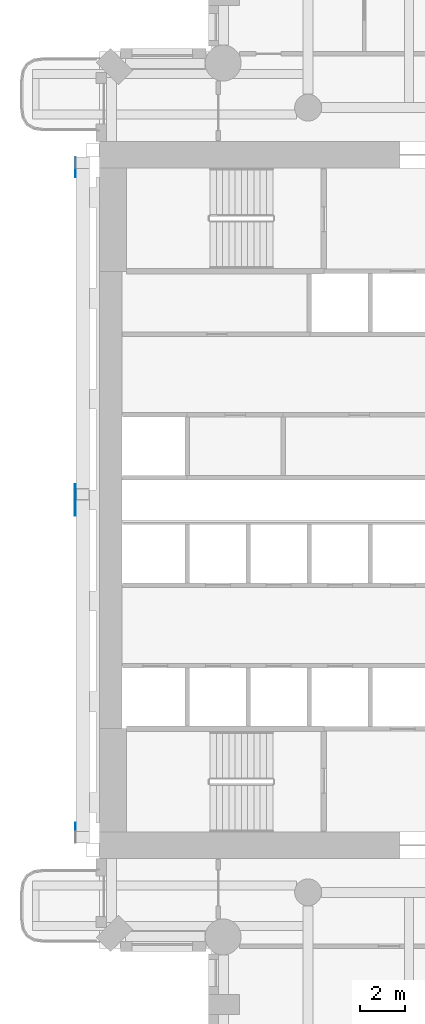
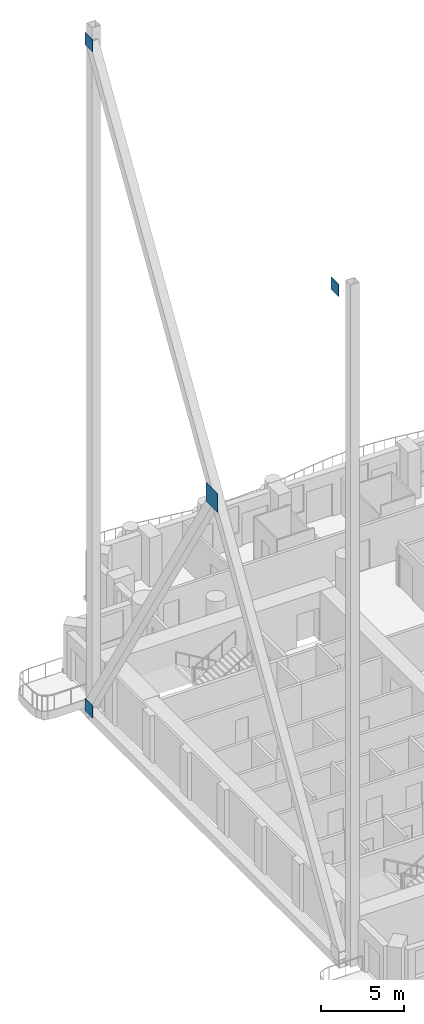
# One storey, part 12 of 24: 4 discrete accessories.
"""IFC4 building model written with IfcOpenShell, lengths in metres."""

from ifc_helpers import new_model, si_unit, direction, frame, origin, origin_2d, place, context, subcontext, project, spatial, rectangle, extrude, material, material_profile, profile_set, type_object, element, save


model = new_model("IFC4")

# Units and contexts
model_context = context("Model", 3, precision=1e-05, world=origin(), true_north=direction((0.0, 1.0)))
body_context = subcontext(model_context, "Body", "Model", "MODEL_VIEW")
ifc_project = project(units=[si_unit("LENGTHUNIT", "METRE"), si_unit("AREAUNIT", "SQUARE_METRE"), si_unit("VOLUMEUNIT", "CUBIC_METRE"), si_unit("PLANEANGLEUNIT", "RADIAN"), si_unit("MASSUNIT", "GRAM", prefix="KILO")], contexts=[model_context])

# Site, building, storey
site_placement = place(None, origin())
site = spatial("IfcSite", under=ifc_project, at=site_placement, CompositionType="ELEMENT")
building_placement = place(site_placement, origin())
building = spatial("IfcBuilding", under=site, at=building_placement, Name="Cypress Arch Tower", CompositionType="ELEMENT")
storey_placement = place(building_placement, frame((0.0, 0.0, 102.300048828125)))
storey = spatial("IfcBuildingStorey", under=building, at=storey_placement, Name="L20", CompositionType="ELEMENT", Elevation=102.300048828125)

# Discrete accessories
ifc_material_1 = material(Name="Steel ASTM A992", Category="steel")
ifc_material_profile_1 = material_profile(ifc_material_1, rectangle(XDim=0.89990234375, YDim=0.89990234375, at=origin_2d()), Name="PL 30 900x900")
ifc_profile_set_1 = profile_set([ifc_material_profile_1], Name="Steel ASTM A992")
discrete_accessory_type_1 = type_object("IfcDiscreteAccessoryType", Name="Gusset plate 900x900x30 Steel ASTM A992", PredefinedType="ANCHORPLATE", material=ifc_profile_set_1)
for number, where, z_axis, x_axis, name in (
    (1, (-31.0595703125, -14.84326171875, 49.59521484375), (-1.0, 0.0, 0.0), (0.0, -1.0, 0.0), "Gusset plate west bracing 2ST"),
    (2, (-31.0595703125, 14.84326171875, 0.604736328125), (-1.0, 0.0, 0.0), (0.0, -1.0, 0.0), "Gusset plate west bracing 2NB"),
    (3, (-31.0595703125, 14.84326171875, 49.59521484375), (-1.0, 0.0, 0.0), (0.0, -1.0, 0.0), "Gusset plate west bracing 2NT"),
):
    element("IfcDiscreteAccessory", number, at=place(storey_placement, frame(where, z_axis=z_axis, x_axis=x_axis)), inside=storey, type_object=discrete_accessory_type_1, Name=name, PredefinedType="ANCHORPLATE", context=body_context, shape_type="SweptSolid", body=[
        extrude(rectangle(XDim=0.89990234375, YDim=0.89990234375, at=origin_2d()), origin(), (0.0, 0.0, 1.0), 0.030029296875),
    ])
ifc_material_2 = material(Name="Steel ASTM A992", Category="steel")
ifc_material_profile_2 = material_profile(ifc_material_2, rectangle(XDim=1.39990234375, YDim=1.39990234375, at=origin_2d()), Name="PL 40 1400x1400")
ifc_profile_set_2 = profile_set([ifc_material_profile_2], Name="Steel ASTM A992")
discrete_accessory_type_2 = type_object("IfcDiscreteAccessoryType", Name="Node plate 1400x1400x40 Steel ASTM A992", PredefinedType="ANCHORPLATE", material=ifc_profile_set_2)
discrete_accessory_placement = place(storey_placement, frame((-31.0595703125, 0.0, 25.099853515625), z_axis=(-1.0, 0.0, 0.0), x_axis=(0.0, -1.0, 0.0)))
element("IfcDiscreteAccessory", 4, at=discrete_accessory_placement, inside=storey, type_object=discrete_accessory_type_2, Name="Node plate west bracing 2", PredefinedType="ANCHORPLATE", context=body_context, shape_type="SweptSolid", body=[
    extrude(rectangle(XDim=1.39990234375, YDim=1.39990234375, at=origin_2d()), origin(), (0.0, 0.0, 1.0), 0.0400390625),
])

save(model, "model.ifc")
